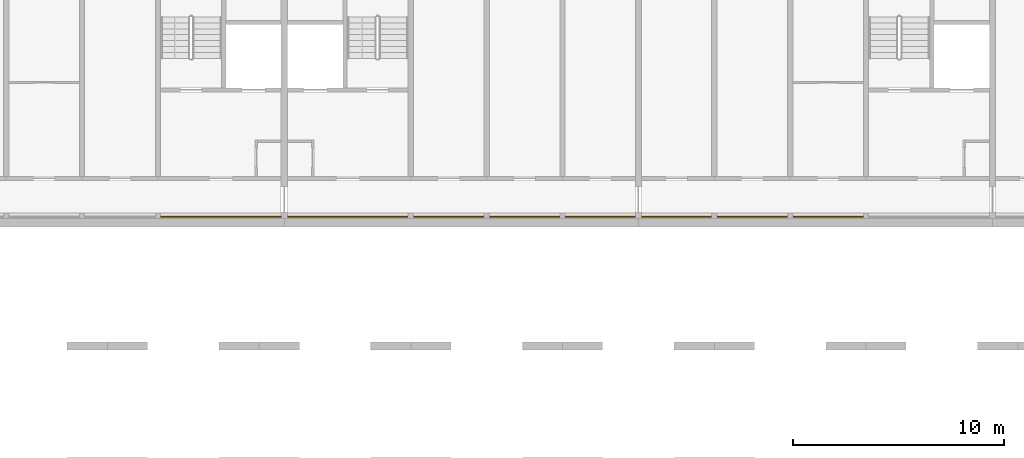
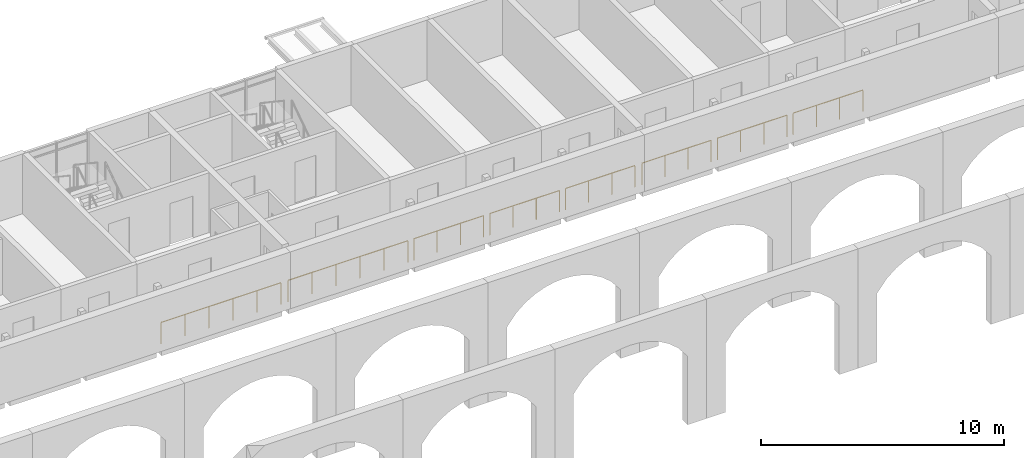
# One storey, part 112 of 122: 8 railings.
"""IFC4 building model written with IfcOpenShell, lengths in metres."""

from ifc_helpers import new_model, si_unit, direction, frame, origin, origin_2d, place, context, subcontext, project, spatial, circle, extrude, material, type_object, element, save


model = new_model("IFC4")

# Units and contexts
model_context = context("Model", 3, precision=1e-05, world=origin(), true_north=direction((0.0, 1.0)))
body_context = subcontext(model_context, "Body", "Model", "MODEL_VIEW")
ifc_project = project(units=[si_unit("LENGTHUNIT", "METRE"), si_unit("AREAUNIT", "SQUARE_METRE"), si_unit("VOLUMEUNIT", "CUBIC_METRE"), si_unit("PLANEANGLEUNIT", "RADIAN"), si_unit("MASSUNIT", "GRAM", prefix="KILO")], contexts=[model_context])

# Site, building, storey
site_placement = place(None, origin())
site = spatial("IfcSite", under=ifc_project, at=site_placement, CompositionType="ELEMENT")
building_placement = place(site_placement, origin())
building = spatial("IfcBuilding", under=site, at=building_placement, Name="Ridgestep Commons", CompositionType="ELEMENT")
storey_placement = place(building_placement, frame((0.0, 0.0, 3.0)))
storey = spatial("IfcBuildingStorey", under=building, at=storey_placement, Name="L01", CompositionType="ELEMENT", Elevation=3.0)

# Railings
ifc_material = material(Name="Structural steel S355JR galvanised", Category="steel")
railing_type = type_object("IfcRailingType", Name="Passage guard 1100", PredefinedType="GUARDRAIL", material=ifc_material)
railing_1_placement = place(storey_placement, frame((157.74609375, 11.830078125, 0.0)))
element("IfcRailing", 1, at=railing_1_placement, inside=storey, type_object=railing_type, Name="Passage guard D 01.4", PredefinedType="GUARDRAIL", context=body_context, shape_type="SweptSolid", body=[
    extrude(circle(Radius=0.02392578125, at=origin_2d()), frame((0.0, 0.0, 1.076171875), z_axis=(1.0, 0.0, 0.0), x_axis=(0.0, 1.0, 0.0)), (0.0, 0.0, 1.0), 5.682861328125),
    extrude(circle(Radius=0.02099609375, at=origin_2d()), origin(), (0.0, 0.0, 1.0), 1.052001953125),
    extrude(circle(Radius=0.02099609375, at=origin_2d()), frame((1.136474609375, 0.0, 0.0)), (0.0, 0.0, 1.0), 1.052001953125),
    extrude(circle(Radius=0.02099609375, at=origin_2d()), frame((2.273193359375, 0.0, 0.0)), (0.0, 0.0, 1.0), 1.052001953125),
    extrude(circle(Radius=0.02099609375, at=origin_2d()), frame((3.40966796875, 0.0, 0.0)), (0.0, 0.0, 1.0), 1.052001953125),
    extrude(circle(Radius=0.02099609375, at=origin_2d()), frame((4.54638671875, 0.0, 0.0)), (0.0, 0.0, 1.0), 1.052001953125),
    extrude(circle(Radius=0.02099609375, at=origin_2d()), frame((5.682861328125, 0.0, 0.0)), (0.0, 0.0, 1.0), 1.052001953125),
])
railing_2_placement = place(storey_placement, frame((163.77099609375, 11.830078125, 0.0)))
element("IfcRailing", 2, at=railing_2_placement, inside=storey, type_object=railing_type, Name="Passage guard D 01.5", PredefinedType="GUARDRAIL", context=body_context, shape_type="SweptSolid", body=[
    extrude(circle(Radius=0.02392578125, at=origin_2d()), frame((0.0, 0.0, 1.076171875), z_axis=(1.0, 0.0, 0.0), x_axis=(0.0, 1.0, 0.0)), (0.0, 0.0, 1.0), 5.68310546875),
    extrude(circle(Radius=0.02099609375, at=origin_2d()), origin(), (0.0, 0.0, 1.0), 1.052001953125),
    extrude(circle(Radius=0.02099609375, at=origin_2d()), frame((1.13671875, 0.0, 0.0)), (0.0, 0.0, 1.0), 1.052001953125),
    extrude(circle(Radius=0.02099609375, at=origin_2d()), frame((2.273193359375, 0.0, 0.0)), (0.0, 0.0, 1.0), 1.052001953125),
    extrude(circle(Radius=0.02099609375, at=origin_2d()), frame((3.409912109375, 0.0, 0.0)), (0.0, 0.0, 1.0), 1.052001953125),
    extrude(circle(Radius=0.02099609375, at=origin_2d()), frame((4.54638671875, 0.0, 0.0)), (0.0, 0.0, 1.0), 1.052001953125),
    extrude(circle(Radius=0.02099609375, at=origin_2d()), frame((5.68310546875, 0.0, 0.0)), (0.0, 0.0, 1.0), 1.052001953125),
])
railing_3_placement = place(storey_placement, frame((169.74609375, 11.830078125, 0.0)))
element("IfcRailing", 3, at=railing_3_placement, inside=storey, type_object=railing_type, Name="Passage guard D 01.6", PredefinedType="GUARDRAIL", context=body_context, shape_type="SweptSolid", body=[
    extrude(circle(Radius=0.02392578125, at=origin_2d()), frame((0.0, 0.0, 1.076171875), z_axis=(1.0, 0.0, 0.0), x_axis=(0.0, 1.0, 0.0)), (0.0, 0.0, 1.0), 3.307861328125),
    extrude(circle(Radius=0.02099609375, at=origin_2d()), origin(), (0.0, 0.0, 1.0), 1.052001953125),
    extrude(circle(Radius=0.02099609375, at=origin_2d()), frame((1.1025390625, 0.0, 0.0)), (0.0, 0.0, 1.0), 1.052001953125),
    extrude(circle(Radius=0.02099609375, at=origin_2d()), frame((2.205322265625, 0.0, 0.0)), (0.0, 0.0, 1.0), 1.052001953125),
    extrude(circle(Radius=0.02099609375, at=origin_2d()), frame((3.307861328125, 0.0, 0.0)), (0.0, 0.0, 1.0), 1.052001953125),
])
railing_4_placement = place(storey_placement, frame((173.345947265625, 11.830078125, 0.0)))
element("IfcRailing", 4, at=railing_4_placement, inside=storey, type_object=railing_type, Name="Passage guard D 01.7", PredefinedType="GUARDRAIL", context=body_context, shape_type="SweptSolid", body=[
    extrude(circle(Radius=0.02392578125, at=origin_2d()), frame((0.0, 0.0, 1.076171875), z_axis=(1.0, 0.0, 0.0), x_axis=(0.0, 1.0, 0.0)), (0.0, 0.0, 1.0), 3.30810546875),
    extrude(circle(Radius=0.02099609375, at=origin_2d()), origin(), (0.0, 0.0, 1.0), 1.052001953125),
    extrude(circle(Radius=0.02099609375, at=origin_2d()), frame((1.102783203125, 0.0, 0.0)), (0.0, 0.0, 1.0), 1.052001953125),
    extrude(circle(Radius=0.02099609375, at=origin_2d()), frame((2.205322265625, 0.0, 0.0)), (0.0, 0.0, 1.0), 1.052001953125),
    extrude(circle(Radius=0.02099609375, at=origin_2d()), frame((3.30810546875, 0.0, 0.0)), (0.0, 0.0, 1.0), 1.052001953125),
])
for number, where, name in (
    (5, (176.946044921875, 11.830078125, 0.0), "Passage guard D 01.8"),
    (6, (180.571044921875, 11.830078125, 0.0), "Passage guard D 01.9"),
):
    element("IfcRailing", number, at=place(storey_placement, frame(where)), inside=storey, type_object=railing_type, Name=name, PredefinedType="GUARDRAIL", context=body_context, shape_type="SweptSolid", body=[
        extrude(circle(Radius=0.02392578125, at=origin_2d()), frame((0.0, 0.0, 1.076171875), z_axis=(1.0, 0.0, 0.0), x_axis=(0.0, 1.0, 0.0)), (0.0, 0.0, 1.0), 3.282958984375),
        extrude(circle(Radius=0.02099609375, at=origin_2d()), origin(), (0.0, 0.0, 1.0), 1.052001953125),
        extrude(circle(Radius=0.02099609375, at=origin_2d()), frame((1.09423828125, 0.0, 0.0)), (0.0, 0.0, 1.0), 1.052001953125),
        extrude(circle(Radius=0.02099609375, at=origin_2d()), frame((2.188720703125, 0.0, 0.0)), (0.0, 0.0, 1.0), 1.052001953125),
        extrude(circle(Radius=0.02099609375, at=origin_2d()), frame((3.282958984375, 0.0, 0.0)), (0.0, 0.0, 1.0), 1.052001953125),
    ])
railing_5_placement = place(storey_placement, frame((184.14599609375, 11.830078125, 0.0)))
element("IfcRailing", 7, at=railing_5_placement, inside=storey, type_object=railing_type, Name="Passage guard D 01.10", PredefinedType="GUARDRAIL", context=body_context, shape_type="SweptSolid", body=[
    extrude(circle(Radius=0.02392578125, at=origin_2d()), frame((0.0, 0.0, 1.076171875), z_axis=(1.0, 0.0, 0.0), x_axis=(0.0, 1.0, 0.0)), (0.0, 0.0, 1.0), 3.30810546875),
    extrude(circle(Radius=0.02099609375, at=origin_2d()), origin(), (0.0, 0.0, 1.0), 1.052001953125),
    extrude(circle(Radius=0.02099609375, at=origin_2d()), frame((1.102783203125, 0.0, 0.0)), (0.0, 0.0, 1.0), 1.052001953125),
    extrude(circle(Radius=0.02099609375, at=origin_2d()), frame((2.205322265625, 0.0, 0.0)), (0.0, 0.0, 1.0), 1.052001953125),
    extrude(circle(Radius=0.02099609375, at=origin_2d()), frame((3.30810546875, 0.0, 0.0)), (0.0, 0.0, 1.0), 1.052001953125),
])
railing_6_placement = place(storey_placement, frame((187.74609375, 11.830078125, 0.0)))
element("IfcRailing", 8, at=railing_6_placement, inside=storey, type_object=railing_type, Name="Passage guard D 01.11", PredefinedType="GUARDRAIL", context=body_context, shape_type="SweptSolid", body=[
    extrude(circle(Radius=0.02392578125, at=origin_2d()), frame((0.0, 0.0, 1.076171875), z_axis=(1.0, 0.0, 0.0), x_axis=(0.0, 1.0, 0.0)), (0.0, 0.0, 1.0), 3.307861328125),
    extrude(circle(Radius=0.02099609375, at=origin_2d()), origin(), (0.0, 0.0, 1.0), 1.052001953125),
    extrude(circle(Radius=0.02099609375, at=origin_2d()), frame((1.1025390625, 0.0, 0.0)), (0.0, 0.0, 1.0), 1.052001953125),
    extrude(circle(Radius=0.02099609375, at=origin_2d()), frame((2.205322265625, 0.0, 0.0)), (0.0, 0.0, 1.0), 1.052001953125),
    extrude(circle(Radius=0.02099609375, at=origin_2d()), frame((3.307861328125, 0.0, 0.0)), (0.0, 0.0, 1.0), 1.052001953125),
])

save(model, "model.ifc")
